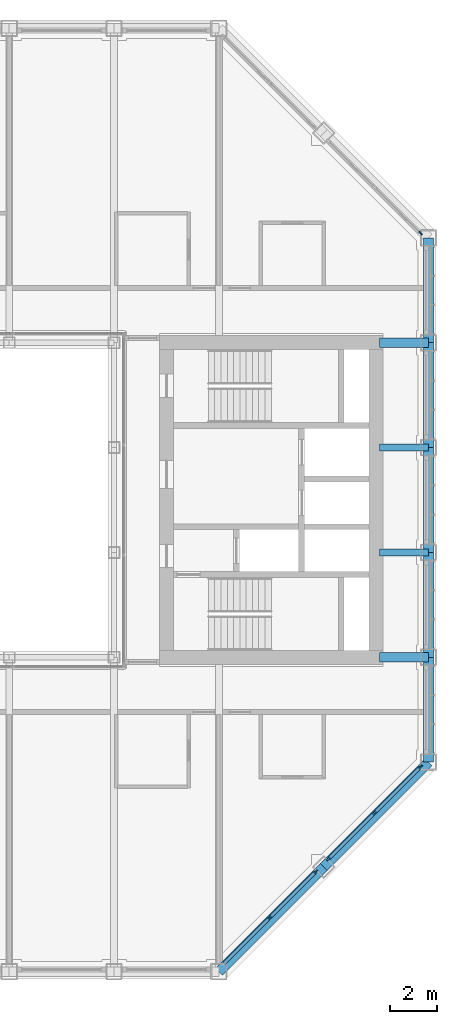
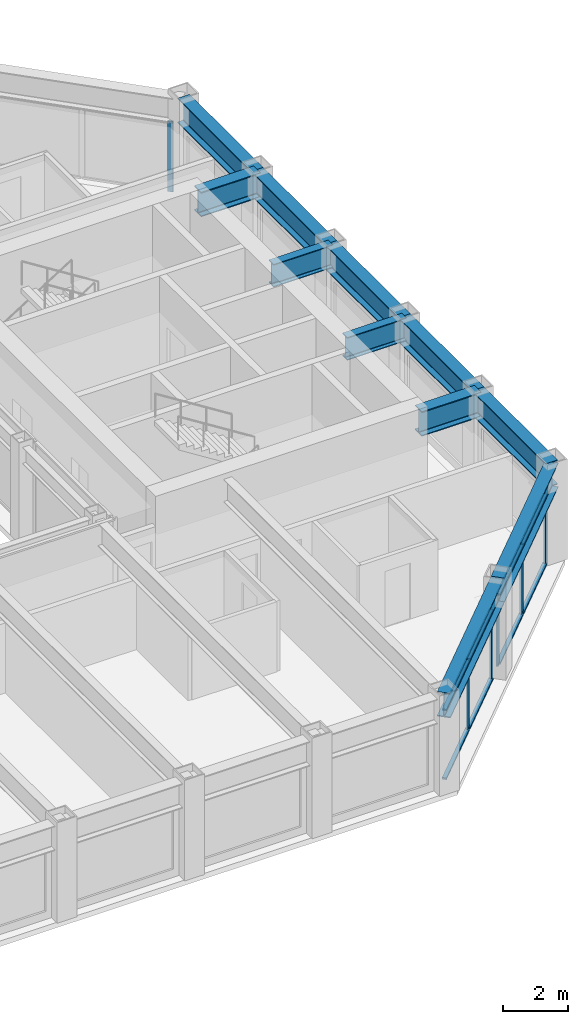
# One storey, part 5 of 16: 14 members, 11 beams, 3 elements without a shape of their own.
"""IFC4 building model written with IfcOpenShell, lengths in metres."""

from ifc_helpers import new_model, si_unit, direction, frame, origin, origin_2d, place, context, subcontext, project, spatial, rectangle, i_section, extrude, material, material_profile, profile_set, type_object, element, aggregate, save


model = new_model("IFC4")

# Units and contexts
model_context = context("Model", 3, precision=1e-05, world=origin(), true_north=direction((0.0, 1.0)))
body_context = subcontext(model_context, "Body", "Model", "MODEL_VIEW")
ifc_project = project(units=[si_unit("LENGTHUNIT", "METRE"), si_unit("AREAUNIT", "SQUARE_METRE"), si_unit("VOLUMEUNIT", "CUBIC_METRE"), si_unit("PLANEANGLEUNIT", "RADIAN"), si_unit("MASSUNIT", "GRAM", prefix="KILO")], contexts=[model_context])

# Site, building, storey
site_placement = place(None, origin())
site = spatial("IfcSite", under=ifc_project, at=site_placement, CompositionType="ELEMENT")
building_placement = place(site_placement, origin())
building = spatial("IfcBuilding", under=site, at=building_placement, Name="Msasa Ring Tower", CompositionType="ELEMENT")
storey_placement = place(building_placement, frame((0.0, 0.0, 212.050048828125)))
storey = spatial("IfcBuildingStorey", under=building, at=storey_placement, Name="L55", CompositionType="ELEMENT", Elevation=212.050048828125)

# Curtain wall, members
ifc_material_1 = material(Name="Aluminium curtain wall with clear glass", Category="aluminium")
curtain_wall_type = type_object("IfcCurtainWallType", Name="CW-C CHAMFER CORNER CURTAIN WALL", PredefinedType="NOTDEFINED", material=ifc_material_1)
curtain_wall_1_placement = place(storey_placement, origin())
curtain_wall_1 = element("IfcCurtainWall", 1, at=curtain_wall_1_placement, inside=storey, type_object=curtain_wall_type, Name="Chamfer corner curtain wall SE L55", PredefinedType="NOTDEFINED")
ifc_material_2 = material(Name="Aluminium mullion", Category="aluminium")
ifc_material_profile_1 = material_profile(ifc_material_2, rectangle(XDim=0.06494140625, YDim=0.179931640625, at=origin_2d()), Name="AL 65x180")
ifc_profile_set_1 = profile_set([ifc_material_profile_1], Name="Aluminium mullion")
member_type_1 = type_object("IfcMemberType", Name="CW-C MULLION 65x180", PredefinedType="MULLION", material=ifc_profile_set_1)
member_1_placement = place(storey_placement, frame((13.42919921875, -17.92919921875, 0.0), z_axis=(0.0, 0.0, 1.0), x_axis=(-0.707106781187, 0.707106781187, 0.0)))
member_1 = element("IfcMember", 2, at=member_1_placement, type_object=member_type_1, Name="CW-C mullion 2", PredefinedType="MULLION", context=body_context, shape_type="SweptSolid", body=[
    extrude(rectangle(XDim=0.06494140625, YDim=0.179931640625, at=origin_2d()), origin(), (0.0, 0.0, 1.0), 2.62890625),
])
member_2_placement = place(storey_placement, frame((15.4052734375, -15.953369140625, 0.0), z_axis=(0.0, 0.0, 1.0), x_axis=(-0.707106781187, 0.707106781187, 0.0)))
member_2 = element("IfcMember", 3, at=member_2_placement, type_object=member_type_1, Name="CW-C mullion 3", PredefinedType="MULLION", context=body_context, shape_type="SweptSolid", body=[
    extrude(rectangle(XDim=0.06494140625, YDim=0.179931640625, at=origin_2d()), origin(), (0.0, 0.0, 1.0), 2.62890625),
])

curtain_wall_2_placement = place(storey_placement, origin())
curtain_wall_2 = element("IfcCurtainWall", 4, at=curtain_wall_2_placement, inside=storey, type_object=curtain_wall_type, Name="Chamfer corner curtain wall SE L55", PredefinedType="NOTDEFINED")
member_3_placement = place(storey_placement, frame((15.953369140625, -15.4052734375, 0.0), z_axis=(0.0, 0.0, 1.0), x_axis=(-0.707106781187, 0.707106781187, 0.0)))
member_3 = element("IfcMember", 5, at=member_3_placement, type_object=member_type_1, Name="CW-C mullion 1", PredefinedType="MULLION", context=body_context, shape_type="SweptSolid", body=[
    extrude(rectangle(XDim=0.06494140625, YDim=0.179931640625, at=origin_2d()), origin(), (0.0, 0.0, 1.0), 2.62890625),
])
member_4_placement = place(storey_placement, frame((17.92919921875, -13.42919921875, 0.0), z_axis=(0.0, 0.0, 1.0), x_axis=(-0.707106781187, 0.707106781187, 0.0)))
member_4 = element("IfcMember", 6, at=member_4_placement, type_object=member_type_1, Name="CW-C mullion 2", PredefinedType="MULLION", context=body_context, shape_type="SweptSolid", body=[
    extrude(rectangle(XDim=0.06494140625, YDim=0.179931640625, at=origin_2d()), origin(), (0.0, 0.0, 1.0), 2.62890625),
])
member_5_placement = place(storey_placement, frame((19.9052734375, -11.453369140625, 0.0), z_axis=(0.0, 0.0, 1.0), x_axis=(-0.707106781187, 0.707106781187, 0.0)))
member_5 = element("IfcMember", 7, at=member_5_placement, type_object=member_type_1, Name="CW-C mullion 3", PredefinedType="MULLION", context=body_context, shape_type="SweptSolid", body=[
    extrude(rectangle(XDim=0.06494140625, YDim=0.179931640625, at=origin_2d()), origin(), (0.0, 0.0, 1.0), 2.62890625),
])

# Curtain wall, member
curtain_wall_3_placement = place(storey_placement, origin())
curtain_wall_3 = element("IfcCurtainWall", 8, at=curtain_wall_3_placement, inside=storey, type_object=curtain_wall_type, Name="Chamfer corner curtain wall NE L55", PredefinedType="NOTDEFINED")
member_6_placement = place(storey_placement, frame((19.9052734375, 11.453369140625, 0.0), z_axis=(0.0, 0.0, 1.0), x_axis=(-0.707106781187, -0.707106781187, 0.0)))
member_6 = element("IfcMember", 9, at=member_6_placement, type_object=member_type_1, Name="CW-C mullion 1", PredefinedType="MULLION", context=body_context, shape_type="SweptSolid", body=[
    extrude(rectangle(XDim=0.06494140625, YDim=0.179931640625, at=origin_2d()), origin(), (0.0, 0.0, 1.0), 2.62890625),
])
aggregate(curtain_wall_3, [member_6])

# Member
ifc_material_3 = material(Name="Aluminium transom", Category="aluminium")
ifc_material_profile_2 = material_profile(ifc_material_3, rectangle(XDim=0.139892578125, YDim=0.06494140625, at=origin_2d()), Name="AL 65x140")
ifc_profile_set_2 = profile_set([ifc_material_profile_2], Name="Aluminium transom")
member_type_2 = type_object("IfcMemberType", Name="CW-C TRANSOM 65x140", PredefinedType="USERDEFINED", material=ifc_profile_set_2)
member_7_placement = place(storey_placement, frame((11.476318359375, -19.88232421875, 0.032470703125), z_axis=(0.707106781187, 0.707106781187, 0.0), x_axis=(-0.707106781187, 0.707106781187, 0.0)))
member_7 = element("IfcMember", 10, at=member_7_placement, type_object=member_type_2, Name="CW-C transom 1.1", ObjectType="TRANSOM", PredefinedType="USERDEFINED", context=body_context, shape_type="SweptSolid", body=[
    extrude(rectangle(XDim=0.139892578125, YDim=0.06494140625, at=origin_2d()), origin(), (0.0, 0.0, 1.0), 2.729248046875),
])

member_8_placement = place(storey_placement, frame((11.476318359375, -19.88232421875, 2.596435546875), z_axis=(0.707106781187, 0.707106781187, 0.0), x_axis=(-0.707106781187, 0.707106781187, 0.0)))
member_8 = element("IfcMember", 11, at=member_8_placement, type_object=member_type_2, Name="CW-C transom 1.2", ObjectType="TRANSOM", PredefinedType="USERDEFINED", context=body_context, shape_type="SweptSolid", body=[
    extrude(rectangle(XDim=0.139892578125, YDim=0.06494140625, at=origin_2d()), origin(), (0.0, 0.0, 1.0), 2.729248046875),
])

member_9_placement = place(storey_placement, frame((13.452392578125, -17.90625, 0.032470703125), z_axis=(0.707106781187, 0.707106781187, 0.0), x_axis=(-0.707106781187, 0.707106781187, 0.0)))
member_9 = element("IfcMember", 12, at=member_9_placement, type_object=member_type_2, Name="CW-C transom 2.1", ObjectType="TRANSOM", PredefinedType="USERDEFINED", context=body_context, shape_type="SweptSolid", body=[
    extrude(rectangle(XDim=0.139892578125, YDim=0.06494140625, at=origin_2d()), origin(), (0.0, 0.0, 1.0), 2.729248046875),
])

member_10_placement = place(storey_placement, frame((13.452392578125, -17.90625, 2.596435546875), z_axis=(0.707106781187, 0.707106781187, 0.0), x_axis=(-0.707106781187, 0.707106781187, 0.0)))
member_10 = element("IfcMember", 13, at=member_10_placement, type_object=member_type_2, Name="CW-C transom 2.2", ObjectType="TRANSOM", PredefinedType="USERDEFINED", context=body_context, shape_type="SweptSolid", body=[
    extrude(rectangle(XDim=0.139892578125, YDim=0.06494140625, at=origin_2d()), origin(), (0.0, 0.0, 1.0), 2.729248046875),
])

aggregate(curtain_wall_1, [member_1, member_2, member_7, member_8, member_9, member_10])

member_11_placement = place(storey_placement, frame((15.976318359375, -15.38232421875, 0.032470703125), z_axis=(0.707106781187, 0.707106781187, 0.0), x_axis=(-0.707106781187, 0.707106781187, 0.0)))
member_11 = element("IfcMember", 14, at=member_11_placement, type_object=member_type_2, Name="CW-C transom 1.1", ObjectType="TRANSOM", PredefinedType="USERDEFINED", context=body_context, shape_type="SweptSolid", body=[
    extrude(rectangle(XDim=0.139892578125, YDim=0.06494140625, at=origin_2d()), origin(), (0.0, 0.0, 1.0), 2.729248046875),
])

member_12_placement = place(storey_placement, frame((15.976318359375, -15.38232421875, 2.596435546875), z_axis=(0.707106781187, 0.707106781187, 0.0), x_axis=(-0.707106781187, 0.707106781187, 0.0)))
member_12 = element("IfcMember", 15, at=member_12_placement, type_object=member_type_2, Name="CW-C transom 1.2", ObjectType="TRANSOM", PredefinedType="USERDEFINED", context=body_context, shape_type="SweptSolid", body=[
    extrude(rectangle(XDim=0.139892578125, YDim=0.06494140625, at=origin_2d()), origin(), (0.0, 0.0, 1.0), 2.729248046875),
])

member_13_placement = place(storey_placement, frame((17.952392578125, -13.40625, 0.032470703125), z_axis=(0.707106781187, 0.707106781187, 0.0), x_axis=(-0.707106781187, 0.707106781187, 0.0)))
member_13 = element("IfcMember", 16, at=member_13_placement, type_object=member_type_2, Name="CW-C transom 2.1", ObjectType="TRANSOM", PredefinedType="USERDEFINED", context=body_context, shape_type="SweptSolid", body=[
    extrude(rectangle(XDim=0.139892578125, YDim=0.06494140625, at=origin_2d()), origin(), (0.0, 0.0, 1.0), 2.729248046875),
])

member_14_placement = place(storey_placement, frame((17.952392578125, -13.40625, 2.596435546875), z_axis=(0.707106781187, 0.707106781187, 0.0), x_axis=(-0.707106781187, 0.707106781187, 0.0)))
member_14 = element("IfcMember", 17, at=member_14_placement, type_object=member_type_2, Name="CW-C transom 2.2", ObjectType="TRANSOM", PredefinedType="USERDEFINED", context=body_context, shape_type="SweptSolid", body=[
    extrude(rectangle(XDim=0.139892578125, YDim=0.06494140625, at=origin_2d()), origin(), (0.0, 0.0, 1.0), 2.729248046875),
])

aggregate(curtain_wall_2, [member_3, member_4, member_5, member_11, member_12, member_13, member_14])

# Beams
ifc_material_4 = material(Name="Steel S355", Category="steel")
ifc_material_profile_3 = material_profile(ifc_material_4, i_section(OverallWidth=0.293701171875, OverallDepth=0.850830078125, WebThickness=0.01611328125, FlangeThickness=0.02685546875, FilletRadius=0.017822265625, at=origin_2d()), Name="UB 838x292x226")
ifc_profile_set_3 = profile_set([ifc_material_profile_3], Name="Steel S355")
beam_type_1 = type_object("IfcBeamType", Name="FB5 UB 838x292x226", PredefinedType="BEAM", material=ifc_profile_set_3)
for number, where, z_axis, x_axis, name in (
    (18, (20.25, -2.25, 3.12451171875), (-1.0, 0.0, 0.0), (0.0, -1.0, 0.0), "Floor beam E -2.25 under L56"),
    (19, (20.25, 2.25, 3.12451171875), (-1.0, 0.0, 0.0), (0.0, -1.0, 0.0), "Floor beam E +2.25 under L56"),
):
    element("IfcBeam", number, at=place(storey_placement, frame(where, z_axis=z_axis, x_axis=x_axis)), inside=storey, type_object=beam_type_1, Name=name, PredefinedType="BEAM", context=body_context, shape_type="SweptSolid", body=[
        extrude(i_section(OverallWidth=0.293701171875, OverallDepth=0.850830078125, WebThickness=0.01611328125, FlangeThickness=0.02685546875, FilletRadius=0.017822265625, at=origin_2d()), origin(), (0.0, 0.0, 1.0), 2.10009765625),
    ])
ifc_material_5 = material(Name="Steel S355", Category="steel")
ifc_material_profile_4 = material_profile(ifc_material_5, i_section(OverallWidth=0.42041015625, OverallDepth=0.9208984375, WebThickness=0.021484375, FlangeThickness=0.03662109375, FilletRadius=0.024169921875, at=origin_2d()), Name="UB 914x419x388")
ifc_profile_set_4 = profile_set([ifc_material_profile_4], Name="Steel S355")
beam_type_2 = type_object("IfcBeamType", Name="GB1 UB 914x419x388", PredefinedType="BEAM", material=ifc_profile_set_4)
for number, where, z_axis, x_axis, name in (
    (20, (18.14990234375, 6.75, 3.08935546875), (1.0, 0.0, 0.0), (0.0, 1.0, 0.0), "Girder E +6.75 under L56"),
    (21, (18.14990234375, -6.75, 3.08935546875), (1.0, 0.0, 0.0), (0.0, 1.0, 0.0), "Girder E -6.75 under L56"),
):
    element("IfcBeam", number, at=place(storey_placement, frame(where, z_axis=z_axis, x_axis=x_axis)), inside=storey, type_object=beam_type_2, Name=name, PredefinedType="BEAM", context=body_context, shape_type="SweptSolid", body=[
        extrude(i_section(OverallWidth=0.42041015625, OverallDepth=0.9208984375, WebThickness=0.021484375, FlangeThickness=0.03662109375, FilletRadius=0.024169921875, at=origin_2d()), origin(), (0.0, 0.0, 1.0), 2.10009765625),
    ])
ifc_material_6 = material(Name="Steel S355", Category="steel")
ifc_material_profile_5 = material_profile(ifc_material_6, i_section(OverallWidth=0.42041015625, OverallDepth=0.9208984375, WebThickness=0.021484375, FlangeThickness=0.03662109375, FilletRadius=0.024169921875, at=origin_2d()), Name="UB 914x419x388")
ifc_profile_set_5 = profile_set([ifc_material_profile_5], Name="Steel S355")
beam_type_3 = type_object("IfcBeamType", Name="SB1 UB 914x419x388", PredefinedType="SPANDREL", material=ifc_profile_set_5)
for number, where, z_axis, x_axis, name in (
    (22, (11.25, -20.25, 3.08935546875), (0.707106781187, 0.707106781187, 0.0), (-0.707106781187, 0.707106781187, 0.0), "Spandrel S+11.25 to SE under L56"),
    (23, (15.75, -15.75, 3.08935546875), (0.707106781187, 0.707106781187, 0.0), (-0.707106781187, 0.707106781187, 0.0), "Spandrel SE to E-11.25 under L56"),
):
    element("IfcBeam", number, at=place(storey_placement, frame(where, z_axis=z_axis, x_axis=x_axis)), inside=storey, type_object=beam_type_3, Name=name, PredefinedType="SPANDREL", context=body_context, shape_type="SweptSolid", body=[
        extrude(i_section(OverallWidth=0.42041015625, OverallDepth=0.9208984375, WebThickness=0.021484375, FlangeThickness=0.03662109375, FilletRadius=0.024169921875, at=origin_2d()), origin(), (0.0, 0.0, 1.0), 6.364013671875),
    ])
for number, where, z_axis, x_axis, name in (
    (24, (20.25, -11.25, 3.08935546875), (0.0, 1.0, 0.0), (-1.0, 0.0, 0.0), "Spandrel E-11.25 to E-6.75 under L56"),
    (25, (20.25, -6.75, 3.08935546875), (0.0, 1.0, 0.0), (-1.0, 0.0, 0.0), "Spandrel E-6.75 to E-2.25 under L56"),
    (26, (20.25, -2.25, 3.08935546875), (0.0, 1.0, 0.0), (-1.0, 0.0, 0.0), "Spandrel E-2.25 to E+2.25 under L56"),
    (27, (20.25, 2.25, 3.08935546875), (0.0, 1.0, 0.0), (-1.0, 0.0, 0.0), "Spandrel E+2.25 to E+6.75 under L56"),
    (28, (20.25, 6.75, 3.08935546875), (0.0, 1.0, 0.0), (-1.0, 0.0, 0.0), "Spandrel E+6.75 to E+11.25 under L56"),
):
    element("IfcBeam", number, at=place(storey_placement, frame(where, z_axis=z_axis, x_axis=x_axis)), inside=storey, type_object=beam_type_3, Name=name, PredefinedType="SPANDREL", context=body_context, shape_type="SweptSolid", body=[
        extrude(i_section(OverallWidth=0.42041015625, OverallDepth=0.9208984375, WebThickness=0.021484375, FlangeThickness=0.03662109375, FilletRadius=0.024169921875, at=origin_2d()), origin(), (0.0, 0.0, 1.0), 4.5),
    ])

save(model, "model.ifc")
